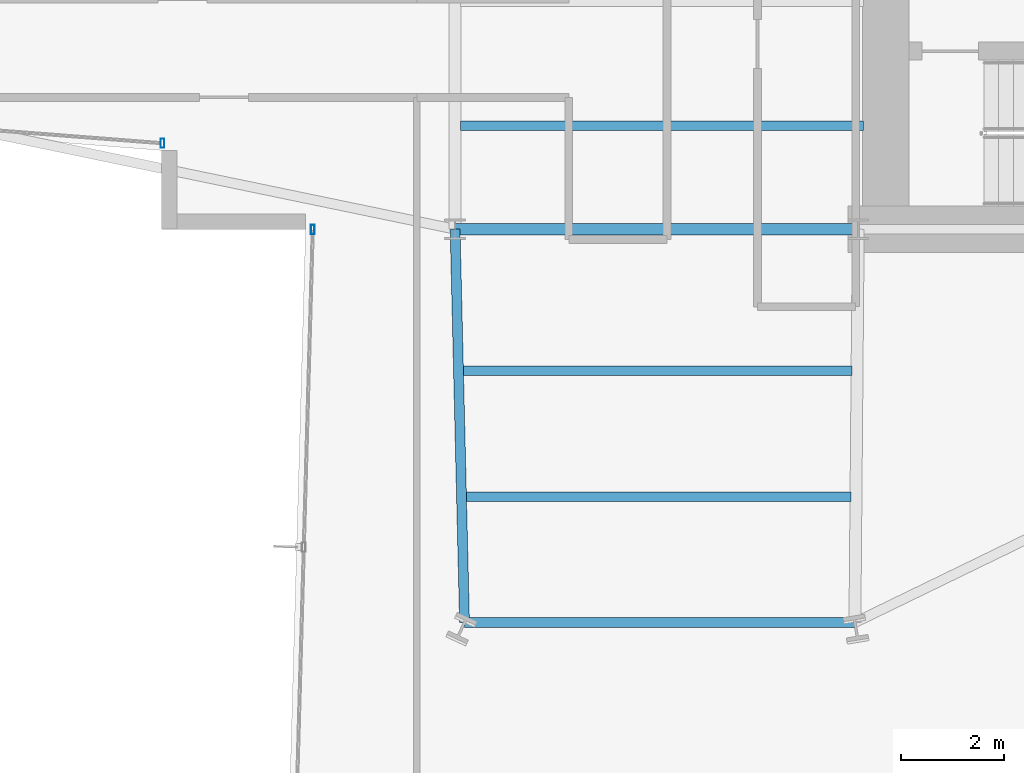
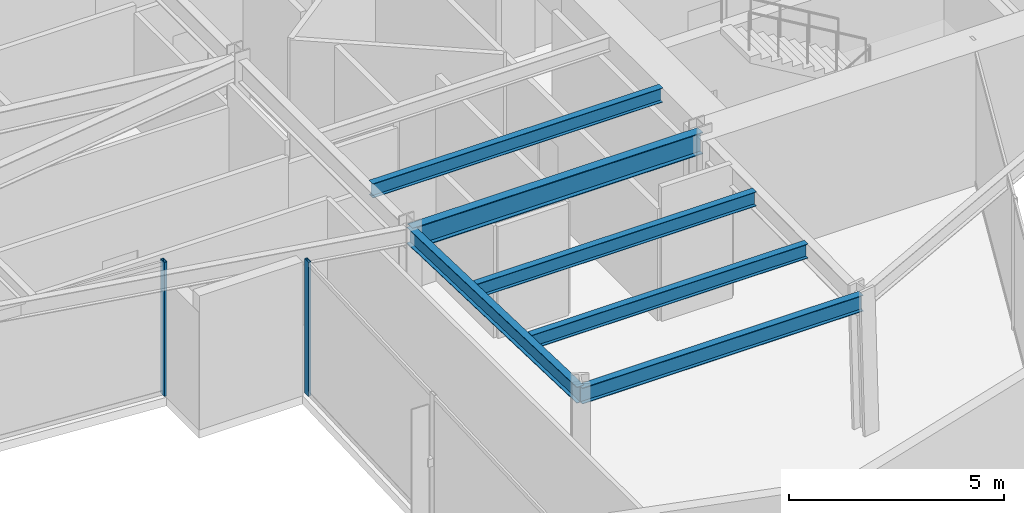
# One storey, part 5 of 29: 6 beams, 2 members, 2 elements without a shape of their own.
"""IFC4 building model written with IfcOpenShell, lengths in metres."""

from ifc_helpers import new_model, si_unit, direction, frame, origin, origin_2d, place, context, subcontext, project, spatial, hollow_rectangle, i_section, extrude, material, layer, layer_set, material_profile, profile_set, type_object, element, aggregate, save


model = new_model("IFC4")

# Units and contexts
model_context = context("Model", 3, precision=1e-05, world=origin(), true_north=direction((0.0, 1.0)))
body_context = subcontext(model_context, "Body", "Model", "MODEL_VIEW")
ifc_project = project(units=[si_unit("LENGTHUNIT", "METRE"), si_unit("AREAUNIT", "SQUARE_METRE"), si_unit("VOLUMEUNIT", "CUBIC_METRE"), si_unit("PLANEANGLEUNIT", "RADIAN"), si_unit("MASSUNIT", "GRAM", prefix="KILO")], contexts=[model_context])

# Site, building, storey
site_placement = place(None, origin())
site = spatial("IfcSite", under=ifc_project, at=site_placement, CompositionType="ELEMENT")
building_placement = place(site_placement, origin())
building = spatial("IfcBuilding", under=site, at=building_placement, Name="Veymaron Broadcast Tower", CompositionType="ELEMENT")
storey_placement = place(building_placement, frame((0.0, 0.0, 58.050048828125)))
storey = spatial("IfcBuildingStorey", under=building, at=storey_placement, Name="L12", CompositionType="ELEMENT", Elevation=58.050048828125)

# Beams
ifc_material_1 = material(Name="Structural steel ASTM A992 Gr 50", Category="steel")
ifc_material_profile_1 = material_profile(ifc_material_1, i_section(OverallWidth=0.22998046875, OverallDepth=0.616943359375, WebThickness=0.01318359375, FlangeThickness=0.022216796875, at=origin_2d()), Name="W610X140")
ifc_profile_set_1 = profile_set([ifc_material_profile_1], Name="Structural steel ASTM A992 Gr 50")
beam_type_1 = type_object("IfcBeamType", Name="BM-FG1", PredefinedType="BEAM", material=ifc_profile_set_1)
beam_1_placement = place(storey_placement, frame((31.199951171875, 16.0, 3.50146484375), z_axis=(1.0, 0.0, 0.0), x_axis=(0.0, 1.0, 0.0)))
element("IfcBeam", 1, at=beam_1_placement, inside=storey, type_object=beam_type_1, Name="L12 primary structural floor girder", PredefinedType="BEAM", context=body_context, shape_type="SweptSolid", body=[
    extrude(i_section(OverallWidth=0.22998046875, OverallDepth=0.616943359375, WebThickness=0.01318359375, FlangeThickness=0.022216796875, at=origin_2d()), origin(), (0.0, 0.0, 1.0), 7.800048828125),
])
ifc_material_profile_2 = material_profile(ifc_material_1, i_section(OverallWidth=0.177978515625, OverallDepth=0.406982421875, WebThickness=0.0078125, FlangeThickness=0.0126953125, at=origin_2d()), Name="W410X60")
ifc_profile_set_2 = profile_set([ifc_material_profile_2], Name="Structural steel ASTM A992 Gr 50")
beam_type_2 = type_object("IfcBeamType", Name="BM-JS1", PredefinedType="JOIST", material=ifc_profile_set_2)
beam_2_placement = place(storey_placement, frame((31.365478515625, 13.260498046875, 3.6064453125), z_axis=(1.0, 0.0, 0.0), x_axis=(0.0, 1.0, 0.0)))
element("IfcBeam", 2, at=beam_2_placement, inside=storey, type_object=beam_type_2, Name="L12 Arm-C secondary joist 1", PredefinedType="JOIST", context=body_context, shape_type="SweptSolid", body=[
    extrude(i_section(OverallWidth=0.177978515625, OverallDepth=0.406982421875, WebThickness=0.0078125, FlangeThickness=0.0126953125, at=origin_2d()), origin(), (0.0, 0.0, 1.0), 7.51123046875),
])
beam_3_placement = place(storey_placement, frame((31.423828125, 10.8251953125, 3.6064453125), z_axis=(1.0, 0.0, 0.0), x_axis=(0.0, 1.0, 0.0)))
element("IfcBeam", 3, at=beam_3_placement, inside=storey, type_object=beam_type_2, Name="L12 Arm-C secondary joist 2", PredefinedType="JOIST", context=body_context, shape_type="SweptSolid", body=[
    extrude(i_section(OverallWidth=0.177978515625, OverallDepth=0.406982421875, WebThickness=0.0078125, FlangeThickness=0.0126953125, at=origin_2d()), origin(), (0.0, 0.0, 1.0), 7.431884765625),
])
beam_4_placement = place(storey_placement, frame((31.300048828125, 18.0, 3.6064453125), z_axis=(1.0, 0.0, 0.0), x_axis=(0.0, 1.0, 0.0)))
element("IfcBeam", 4, at=beam_4_placement, inside=storey, type_object=beam_type_2, Name="L12 Hub secondary joist 1", PredefinedType="JOIST", context=body_context, shape_type="SweptSolid", body=[
    extrude(i_section(OverallWidth=0.177978515625, OverallDepth=0.406982421875, WebThickness=0.0078125, FlangeThickness=0.0126953125, at=origin_2d()), origin(), (0.0, 0.0, 1.0), 7.800048828125),
])
ifc_material_profile_3 = material_profile(ifc_material_1, i_section(OverallWidth=0.19091796875, OverallDepth=0.4599609375, WebThickness=0.010009765625, FlangeThickness=0.01611328125, at=origin_2d()), Name="W460X82")
ifc_profile_set_3 = profile_set([ifc_material_profile_3], Name="Structural steel ASTM A992 Gr 50")
beam_type_3 = type_object("IfcBeamType", Name="BM-SP1", PredefinedType="SPANDREL", material=ifc_profile_set_3)
beam_5_placement = place(storey_placement, frame((31.199951171875, 16.0, 3.579833984375), z_axis=(0.023925650461, -0.999713740653, 0.0), x_axis=(0.999713740653, 0.023925650461, 0.0)))
element("IfcBeam", 5, at=beam_5_placement, inside=storey, type_object=beam_type_3, Name="L12 primary structural floor girder", PredefinedType="SPANDREL", context=body_context, shape_type="SweptSolid", body=[
    extrude(i_section(OverallWidth=0.19091796875, OverallDepth=0.4599609375, WebThickness=0.010009765625, FlangeThickness=0.01611328125, at=origin_2d()), origin(), (0.0, 0.0, 1.0), 7.6123046875),
])
beam_6_placement = place(storey_placement, frame((31.382080078125, 8.389892578125, 3.579833984375), z_axis=(1.0, 0.0, 0.0), x_axis=(0.0, 1.0, 0.0)))
element("IfcBeam", 6, at=beam_6_placement, inside=storey, type_object=beam_type_3, Name="L12 primary structural floor girder", PredefinedType="SPANDREL", context=body_context, shape_type="SweptSolid", body=[
    extrude(i_section(OverallWidth=0.19091796875, OverallDepth=0.4599609375, WebThickness=0.010009765625, FlangeThickness=0.01611328125, at=origin_2d()), origin(), (0.0, 0.0, 1.0), 7.552978515625),
])

# Curtain wall, member
ifc_material_2 = material(Name="Anodised aluminium AA 6063-T6 and laminated low-E dark glass", Category="aluminium")
ifc_layer = layer(ifc_material_2, 0.179931640625)
ifc_layer_set = layer_set([ifc_layer], Name="Anodised aluminium AA 6063-T6 and laminated low-E dark glass")
curtain_wall_type = type_object("IfcCurtainWallType", Name="CW-SYS-02", PredefinedType="NOTDEFINED", material=ifc_layer_set)
curtain_wall_1_placement = place(storey_placement, origin())
curtain_wall_1 = element("IfcCurtainWall", 7, at=curtain_wall_1_placement, inside=storey, type_object=curtain_wall_type, Name="L12 dark-glass curtain wall CW-L12-E14-1", PredefinedType="NOTDEFINED")
ifc_material_3 = material(Name="Anodised aluminium AA 6063-T6", Category="aluminium")
ifc_material_profile_4 = material_profile(ifc_material_3, hollow_rectangle(XDim=0.074951171875, YDim=0.179931640625, WallThickness=0.0048828125, at=origin_2d()), Name="AL180X75X5")
ifc_profile_set_4 = profile_set([ifc_material_profile_4], Name="Anodised aluminium AA 6063-T6")
member_type = type_object("IfcMemberType", Name="CW-MUL-02", PredefinedType="MULLION", material=ifc_profile_set_4)
member_1_placement = place(storey_placement, frame((25.538818359375, 17.66357421875, 0.0), z_axis=(0.0, 0.0, 1.0), x_axis=(1.0, 0.0, 0.0)))
member_1 = element("IfcMember", 8, at=member_1_placement, type_object=member_type, Name="CW-L12-E14-1 mullion 3", PredefinedType="MULLION", context=body_context, shape_type="SweptSolid", body=[
    extrude(hollow_rectangle(XDim=0.074951171875, YDim=0.179931640625, WallThickness=0.0048828125, at=origin_2d()), origin(), (0.0, 0.0, 1.0), 3.81005859375),
])
aggregate(curtain_wall_1, [member_1])

curtain_wall_2_placement = place(storey_placement, origin())
curtain_wall_2 = element("IfcCurtainWall", 9, at=curtain_wall_2_placement, inside=storey, type_object=curtain_wall_type, Name="L12 dark-glass curtain wall CW-L12-E17-1", PredefinedType="NOTDEFINED")
member_2_placement = place(storey_placement, frame((28.4453125, 15.99609375, 0.0), z_axis=(0.0, 0.0, 1.0), x_axis=(1.0, 0.0, 0.0)))
member_2 = element("IfcMember", 10, at=member_2_placement, type_object=member_type, Name="CW-L12-E17-1 mullion 0", PredefinedType="MULLION", context=body_context, shape_type="SweptSolid", body=[
    extrude(hollow_rectangle(XDim=0.074951171875, YDim=0.179931640625, WallThickness=0.0048828125, at=origin_2d()), origin(), (0.0, 0.0, 1.0), 3.81005859375),
])
aggregate(curtain_wall_2, [member_2])

save(model, "model.ifc")
